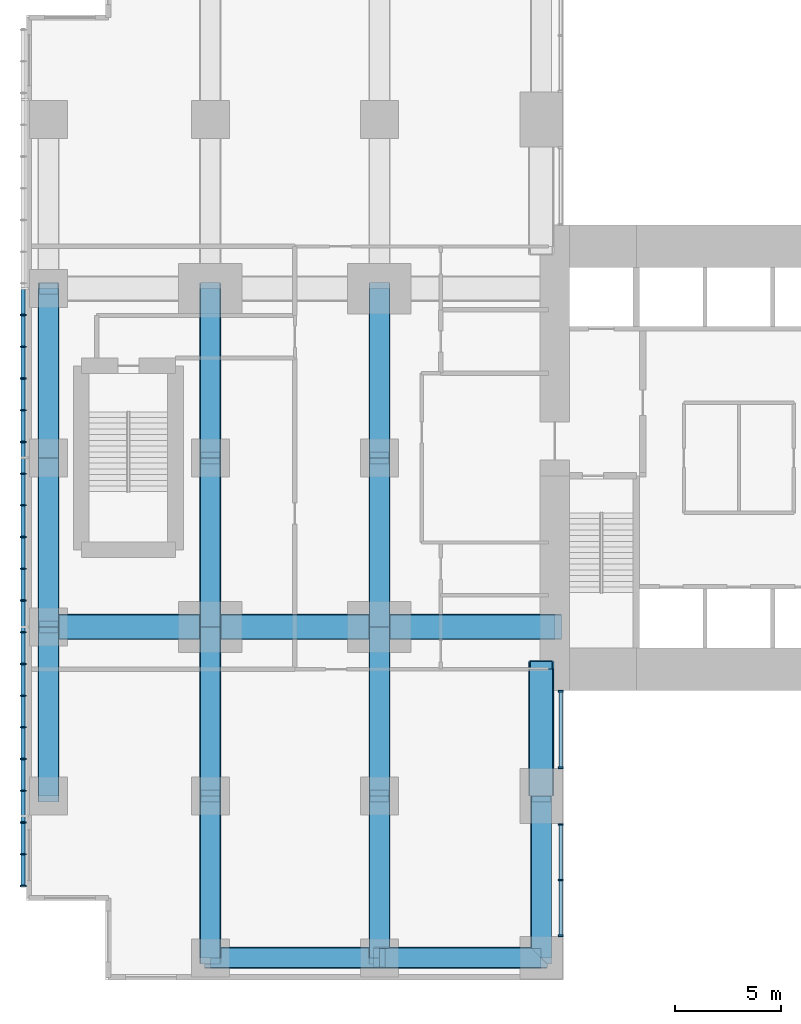
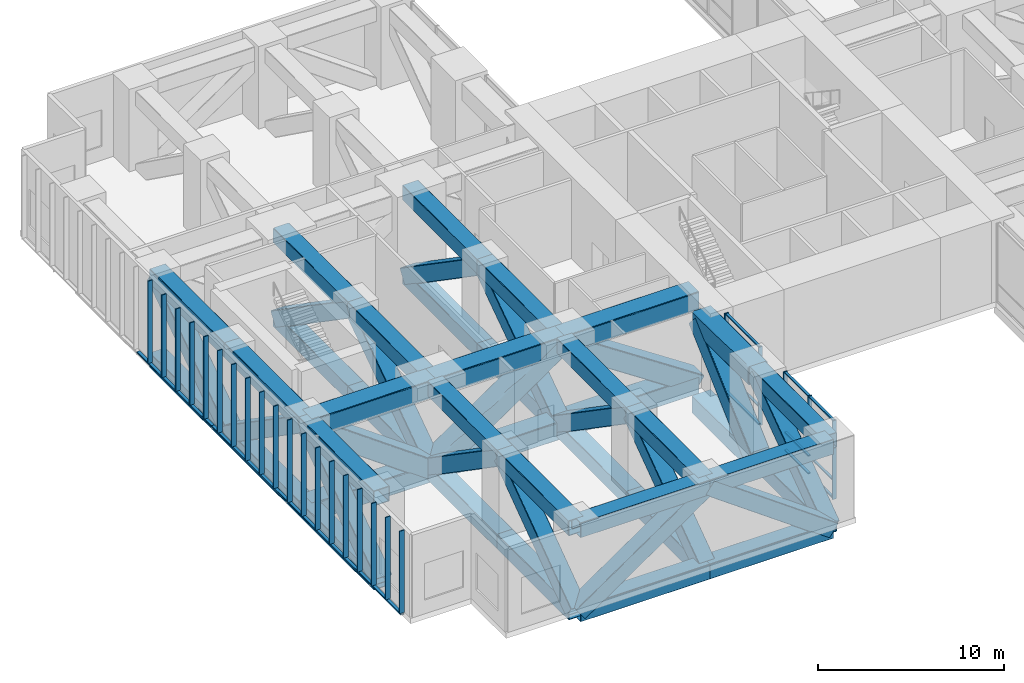
# One storey, part 2 of 15: 90 members, 2 elements without a shape of their own.
"""IFC4 building model written with IfcOpenShell, lengths in metres."""

import ifcopenshell
import ifcopenshell.guid

model = None  # the IFC model being written
_history = None  # IfcOwnerHistory: only IFC2X3 demands one
_inside = {}  # id of a spatial element -> (the spatial element, [elements in it])
_under = {}  # id of a project, library or spatial element -> (it, [spatial elements below it])
_declared = {}  # id of a project -> (the project, [libraries it declares])
_typed = {}  # id of a type object -> (the type object, [elements of that type])
_made_of = {}  # id of a material, layer set ... -> (it, [elements and type objects made of it])


def new_model(schema):
    """Start an empty IFC model of exactly this schema.

    Asked for "IFC4X3", IfcOpenShell would pick the latest addendum, in which some entities
    have other attributes; the version numbers below select the first issue.
    IFC2X3 requires an IfcOwnerHistory on every rooted entity: one is made here for all.
    """
    global model, _history
    if schema == "IFC4X3":
        model = ifcopenshell.file(schema_version=(4, 3, 0, 0))
    else:
        model = ifcopenshell.file(schema=schema)
    _inside.clear()
    _under.clear()
    _declared.clear()
    _typed.clear()
    _made_of.clear()
    _history = None
    if model.schema == "IFC2X3":
        org = make("IfcOrganization", Name="unknown")
        user = make(
            "IfcPersonAndOrganization",
            ThePerson=make("IfcPerson", FamilyName="unknown"),
            TheOrganization=org,
        )
        app = make(
            "IfcApplication",
            ApplicationDeveloper=org,
            Version="unknown",
            ApplicationFullName="unknown",
            ApplicationIdentifier="unknown",
        )
        _history = make(
            "IfcOwnerHistory",
            OwningUser=user,
            OwningApplication=app,
            ChangeAction="ADDED",
            CreationDate=0,
        )
    return model


def make(cls, **values):
    """One entity of the class cls with the attributes given. An attribute that is None is left unset."""
    return model.create_entity(
        cls, **{name: value for name, value in values.items() if value is not None}
    )


def rooted(cls, **values):
    """An entity with a GlobalId (a new one), such as an element, a storey or a relation."""
    return make(cls, GlobalId=ifcopenshell.guid.new(), OwnerHistory=_history, **values)


def si_unit(unit_type, name, prefix=None):
    """IfcSIUnit, for example si_unit("LENGTHUNIT", "METRE", prefix="MILLI")."""
    return make("IfcSIUnit", UnitType=unit_type, Prefix=prefix, Name=name)


def assignment(units):
    """IfcUnitAssignment: the units of a project."""
    return None if units is None else make("IfcUnitAssignment", Units=units)


def point(xyz):
    """IfcCartesianPoint."""
    return None if xyz is None else make("IfcCartesianPoint", Coordinates=xyz)


def direction(xyz):
    """IfcDirection."""
    return None if xyz is None else make("IfcDirection", DirectionRatios=xyz)


def frame(location, z_axis=None, x_axis=None):
    """IfcAxis2Placement3D, a coordinate frame: its origin and axes. An axis left out is left unset."""
    return make(
        "IfcAxis2Placement3D",
        Location=point(location),
        Axis=direction(z_axis),
        RefDirection=direction(x_axis),
    )


def frame_2d(location, x_axis=None):
    """IfcAxis2Placement2D, a coordinate frame in the plane: its origin and x axis."""
    return make(
        "IfcAxis2Placement2D", Location=point(location), RefDirection=direction(x_axis)
    )


def origin():
    """The frame at (0, 0, 0) with its axes left unset."""
    return frame((0.0, 0.0, 0.0))


def origin_2d():
    """The frame at (0, 0) in the plane with its x axis left unset."""
    return frame_2d((0.0, 0.0))


def place(relative_to, where):
    """IfcLocalPlacement: puts the frame where relative to a parent placement (None: the world)."""
    return make(
        "IfcLocalPlacement", PlacementRelTo=relative_to, RelativePlacement=where
    )


def context(
    kind, dimensions, precision=None, world=None, true_north=None, identifier=None
):
    """IfcGeometricRepresentationContext, for example the 3D "Model" context."""
    return make(
        "IfcGeometricRepresentationContext",
        ContextIdentifier=identifier,
        ContextType=kind,
        CoordinateSpaceDimension=dimensions,
        Precision=precision,
        WorldCoordinateSystem=world,
        TrueNorth=true_north,
    )


def subcontext(parent, identifier, kind, view, scale=None):
    """IfcGeometricRepresentationSubContext, for example "Body" below "Model"."""
    return make(
        "IfcGeometricRepresentationSubContext",
        ContextIdentifier=identifier,
        ContextType=kind,
        ParentContext=parent,
        TargetScale=scale,
        TargetView=view,
    )


def project(units=None, contexts=None):
    """IfcProject with its units and contexts."""
    return rooted(
        "IfcProject",
        Name="project",
        RepresentationContexts=contexts,
        UnitsInContext=assignment(units),
    )


def spatial(cls, under=None, at=None, **own):
    """A site, building, storey or space (cls), placed at a placement, below another one or the project."""
    s = rooted(cls, ObjectPlacement=at, **own)
    if under is not None:
        _under.setdefault(under.id(), (under, []))[1].append(s)
    return s


def profile(cls, at=None, kind="AREA", **sizes):
    """A parametric profile (cls). Its sizes go by their IFC names, for example OverallWidth=200.0."""
    return make(cls, ProfileType=kind, Position=at, **sizes)


def rectangle(**sizes):
    """IfcRectangleProfileDef."""
    return profile("IfcRectangleProfileDef", **sizes)


def hollow_rectangle(**sizes):
    """IfcRectangleHollowProfileDef."""
    return profile("IfcRectangleHollowProfileDef", **sizes)


def extrude(swept, where, along, depth):
    """IfcExtrudedAreaSolid: the profile swept, set in the frame where, extruded along a direction by depth."""
    return make(
        "IfcExtrudedAreaSolid",
        SweptArea=swept,
        Position=where,
        ExtrudedDirection=direction(along),
        Depth=depth,
    )


def shape(context_of_items, identifier, shape_type, items):
    """IfcShapeRepresentation: the items that make up one representation, for example the "Body"."""
    return make(
        "IfcShapeRepresentation",
        ContextOfItems=context_of_items,
        RepresentationIdentifier=identifier,
        RepresentationType=shape_type,
        Items=items,
    )


def material(Name=None, Category=None):
    """IfcMaterial."""
    return make("IfcMaterial", Name=Name, Category=Category)


def layer(
    of_material, thickness, ventilated=None, Name=None, Category=None, Priority=None
):
    """IfcMaterialLayer: one layer of a wall or slab, of a material (None: an air gap)."""
    return make(
        "IfcMaterialLayer",
        Material=of_material,
        LayerThickness=thickness,
        IsVentilated=ventilated,
        Name=Name,
        Category=Category,
        Priority=Priority,
    )


def layer_set(layers, Name=None):
    """IfcMaterialLayerSet."""
    return make("IfcMaterialLayerSet", MaterialLayers=layers, LayerSetName=Name)


def material_profile(
    of_material, cross_section, Name=None, Category=None, Priority=None
):
    """IfcMaterialProfile: a cross section and its material."""
    return make(
        "IfcMaterialProfile",
        Name=Name,
        Material=of_material,
        Profile=cross_section,
        Priority=Priority,
        Category=Category,
    )


def profile_set(profiles, Name=None, composite=None):
    """IfcMaterialProfileSet."""
    return make(
        "IfcMaterialProfileSet",
        Name=Name,
        MaterialProfiles=profiles,
        CompositeProfile=composite,
    )


def made_of(thing, what):
    """Note that an element or type object is made of a material, layer set ...; save() writes the relation."""
    if what is not None:
        _made_of.setdefault(what.id(), (what, []))[1].append(thing)
    return thing


def type_object(cls, material=None, **own):
    """A type object (cls), such as IfcWallType, which elements share."""
    return made_of(rooted(cls, **own), material)


def element(
    cls,
    number,
    at=None,
    inside=None,
    cuts=None,
    type_object=None,
    material=None,
    context=None,
    identifier="Body",
    shape_type=None,
    held_by="IfcProductDefinitionShape",
    body=None,
    shapes=None,
    **own,
):
    """One element of the class cls, such as IfcWall. Its Tag is "e" and its number.

    at: its placement. inside: the storey or other place that contains it. cuts: it is an
    opening in that element (IfcRelVoidsElement). A single representation is given by context,
    identifier, shape_type and body (its items); several are given by shapes. held_by: the class
    of the entity that holds the representations. save() writes the other relations.
    """
    e = rooted(cls, Tag="e%d" % number, ObjectPlacement=at, **own)
    if body is not None:
        shapes = [shape(context, identifier, shape_type, body)]
    if shapes is not None:
        e.Representation = make(held_by, Representations=shapes)
    if inside is not None:
        _inside.setdefault(inside.id(), (inside, []))[1].append(e)
    if cuts is not None:
        rooted(
            "IfcRelVoidsElement", RelatingBuildingElement=cuts, RelatedOpeningElement=e
        )
    if type_object is not None:
        _typed.setdefault(type_object.id(), (type_object, []))[1].append(e)
    return made_of(e, material)


def aggregate(whole, parts):
    """IfcRelAggregates: a whole, such as a stair, and the parts it consists of."""
    return rooted("IfcRelAggregates", RelatingObject=whole, RelatedObjects=parts)


def save(model, path):
    """Write the relations noted so far, then the file.

    IfcRelAggregates (storeys below a building ...), IfcRelContainedInSpatialStructure (elements
    in a storey), IfcRelDefinesByType, IfcRelAssociatesMaterial and IfcRelDeclares: one each for
    every whole, place, type object, material and project.
    """
    for whole, parts in _under.values():
        aggregate(whole, parts)
    for where, things in _inside.values():
        rooted(
            "IfcRelContainedInSpatialStructure",
            RelatedElements=things,
            RelatingStructure=where,
        )
    for kind, things in _typed.values():
        rooted("IfcRelDefinesByType", RelatedObjects=things, RelatingType=kind)
    for what, things in _made_of.values():
        rooted("IfcRelAssociatesMaterial", RelatedObjects=things, RelatingMaterial=what)
    for by, libraries in _declared.values():
        rooted("IfcRelDeclares", RelatingContext=by, RelatedDefinitions=libraries)
    model.write(path)


model = new_model("IFC4")

# Units and contexts
model_context = context("Model", 3, precision=1e-05, world=origin(), true_north=direction((0.0, 1.0)))
body_context = subcontext(model_context, "Body", "Model", "MODEL_VIEW")
ifc_project = project(units=[si_unit("LENGTHUNIT", "METRE"), si_unit("AREAUNIT", "SQUARE_METRE"), si_unit("VOLUMEUNIT", "CUBIC_METRE"), si_unit("PLANEANGLEUNIT", "RADIAN"), si_unit("MASSUNIT", "GRAM", prefix="KILO")], contexts=[model_context])

# Site, building, storey
site_placement = place(None, origin())
site = spatial("IfcSite", under=ifc_project, at=site_placement, CompositionType="ELEMENT")
building_placement = place(site_placement, origin())
building = spatial("IfcBuilding", under=site, at=building_placement, Name="Cleftline Residences", CompositionType="ELEMENT")
storey_placement = place(building_placement, frame((0.0, 0.0, 171.800048828125)))
storey = spatial("IfcBuildingStorey", under=building, at=storey_placement, Name="L45", CompositionType="ELEMENT", Elevation=171.800048828125)

# Members
ifc_material_1 = material(Name="Steel S355, hot-dip galvanised", Category="steel")
ifc_material_profile_1 = material_profile(ifc_material_1, hollow_rectangle(XDim=0.10009765625, YDim=0.199951171875, WallThickness=0.008056640625, InnerFilletRadius=0.008056640625, OuterFilletRadius=0.011962890625, at=origin_2d()))
ifc_profile_set_1 = profile_set([ifc_material_profile_1], Name="Steel S355, hot-dip galvanised")
member_type_1 = type_object("IfcMemberType", Name="BAGUETTE CARRIER RHS 200X100X8", PredefinedType="USERDEFINED", material=ifc_profile_set_1)
for number, where, z_axis, x_axis, name in (
    (1, (-0.85009765625, 32.0, -0.050048828125), (0.0, -1.0, 0.0), (0.0, 0.0, 1.0), "Baguette carrier"),
    (2, (-0.85009765625, 24.0, -0.050048828125), (0.0, -1.0, 0.0), (0.0, 0.0, 1.0), "Baguette carrier"),
):
    element("IfcMember", number, at=place(storey_placement, frame(where, z_axis=z_axis, x_axis=x_axis)), inside=storey, type_object=member_type_1, Name=name, ObjectType="BAGUETTE CARRIER", PredefinedType="USERDEFINED", context=body_context, shape_type="SweptSolid", body=[
        extrude(hollow_rectangle(XDim=0.10009765625, YDim=0.199951171875, WallThickness=0.008056640625, InnerFilletRadius=0.008056640625, OuterFilletRadius=0.011962890625, at=origin_2d()), origin(), (0.0, 0.0, 1.0), 8.0),
    ])
member_1_placement = place(storey_placement, frame((-0.85009765625, 16.0, -0.050048828125), z_axis=(0.0, -1.0, 0.0), x_axis=(0.0, 0.0, 1.0)))
element("IfcMember", 3, at=member_1_placement, inside=storey, type_object=member_type_1, Name="Baguette carrier", ObjectType="BAGUETTE CARRIER", PredefinedType="USERDEFINED", context=body_context, shape_type="SweptSolid", body=[
    extrude(hollow_rectangle(XDim=0.10009765625, YDim=0.199951171875, WallThickness=0.008056640625, InnerFilletRadius=0.008056640625, OuterFilletRadius=0.011962890625, at=origin_2d()), origin(), (0.0, 0.0, 1.0), 12.300048828125),
])
ifc_material_2 = material(Name="Steel S355", Category="steel")
ifc_material_profile_2 = material_profile(ifc_material_2, hollow_rectangle(XDim=1.0, YDim=1.0, WallThickness=0.0400390625, InnerFilletRadius=0.0400390625, OuterFilletRadius=0.06005859375, at=origin_2d()))
ifc_profile_set_2 = profile_set([ifc_material_profile_2], Name="Steel S355")
member_type_2 = type_object("IfcMemberType", Name="BRACE BOX 1000X1000X40", PredefinedType="BRACE", material=ifc_profile_set_2)
for number, where, z_axis, x_axis, name in (
    (4, (0.35009765625, 8.0, -0.85009765625), (0.0, 0.824041924199, 0.566528822887), (0.0, -0.566528822887, 0.824041924199), "Belt truss diagonal"),
    (5, (0.35009765625, 16.0, 4.64990234375), (0.0, 0.824041924199, -0.566528822887), (0.0, 0.566528822887, 0.824041924199), "Belt truss diagonal"),
    (6, (0.35009765625, 24.0, -0.85009765625), (0.0, 0.824041924199, 0.566528822887), (0.0, -0.566528822887, 0.824041924199), "Belt truss diagonal"),
):
    element("IfcMember", number, at=place(storey_placement, frame(where, z_axis=z_axis, x_axis=x_axis)), inside=storey, type_object=member_type_2, Name=name, PredefinedType="BRACE", context=body_context, shape_type="SweptSolid", body=[
        extrude(hollow_rectangle(XDim=1.0, YDim=1.0, WallThickness=0.0400390625, InnerFilletRadius=0.0400390625, OuterFilletRadius=0.06005859375, at=origin_2d()), origin(), (0.0, 0.0, 1.0), 9.708251953125),
    ])
member_2_placement = place(storey_placement, frame((8.0, 0.35009765625, -0.85009765625), z_axis=(0.0, 0.811933238445, 0.583750303048), x_axis=(0.0, -0.583750303048, 0.811933238445)))
element("IfcMember", 7, at=member_2_placement, inside=storey, type_object=member_type_2, Name="Belt truss diagonal", PredefinedType="BRACE", context=body_context, shape_type="SweptSolid", body=[
    extrude(hollow_rectangle(XDim=1.0, YDim=1.0, WallThickness=0.0400390625, InnerFilletRadius=0.0400390625, OuterFilletRadius=0.06005859375, at=origin_2d()), origin(), (0.0, 0.0, 1.0), 9.421875),
])
for number, where, z_axis, x_axis, name in (
    (8, (8.0, 8.0, 4.64990234375), (0.0, 0.824041924199, -0.566528822887), (0.0, 0.566528822887, 0.824041924199), "Belt truss diagonal"),
    (9, (8.0, 16.0, -0.85009765625), (0.0, 0.824041924199, 0.566528822887), (0.0, -0.566528822887, 0.824041924199), "Belt truss diagonal"),
    (10, (8.0, 24.0, 4.64990234375), (0.0, 0.824041924199, -0.566528822887), (0.0, 0.566528822887, 0.824041924199), "Belt truss diagonal"),
):
    element("IfcMember", number, at=place(storey_placement, frame(where, z_axis=z_axis, x_axis=x_axis)), inside=storey, type_object=member_type_2, Name=name, PredefinedType="BRACE", context=body_context, shape_type="SweptSolid", body=[
        extrude(hollow_rectangle(XDim=1.0, YDim=1.0, WallThickness=0.0400390625, InnerFilletRadius=0.0400390625, OuterFilletRadius=0.06005859375, at=origin_2d()), origin(), (0.0, 0.0, 1.0), 9.708251953125),
    ])
member_3_placement = place(storey_placement, frame((16.0, 0.35009765625, -0.85009765625), z_axis=(0.0, 0.811933238445, 0.583750303048), x_axis=(0.0, -0.583750303048, 0.811933238445)))
element("IfcMember", 11, at=member_3_placement, inside=storey, type_object=member_type_2, Name="Belt truss diagonal", PredefinedType="BRACE", context=body_context, shape_type="SweptSolid", body=[
    extrude(hollow_rectangle(XDim=1.0, YDim=1.0, WallThickness=0.0400390625, InnerFilletRadius=0.0400390625, OuterFilletRadius=0.06005859375, at=origin_2d()), origin(), (0.0, 0.0, 1.0), 9.421875),
])
for number, where, z_axis, x_axis, name in (
    (12, (16.0, 8.0, 4.64990234375), (0.0, 0.824041924199, -0.566528822887), (0.0, 0.566528822887, 0.824041924199), "Belt truss diagonal"),
    (13, (16.0, 16.0, -0.85009765625), (0.0, 0.824041924199, 0.566528822887), (0.0, -0.566528822887, 0.824041924199), "Belt truss diagonal"),
    (14, (16.0, 24.0, 4.64990234375), (0.0, 0.824041924199, -0.566528822887), (0.0, 0.566528822887, 0.824041924199), "Belt truss diagonal"),
):
    element("IfcMember", number, at=place(storey_placement, frame(where, z_axis=z_axis, x_axis=x_axis)), inside=storey, type_object=member_type_2, Name=name, PredefinedType="BRACE", context=body_context, shape_type="SweptSolid", body=[
        extrude(hollow_rectangle(XDim=1.0, YDim=1.0, WallThickness=0.0400390625, InnerFilletRadius=0.0400390625, OuterFilletRadius=0.06005859375, at=origin_2d()), origin(), (0.0, 0.0, 1.0), 9.708251953125),
    ])
member_4_placement = place(storey_placement, frame((23.64990234375, 0.35009765625, -0.85009765625), z_axis=(0.0, 0.811933238445, 0.583750303048), x_axis=(0.0, -0.583750303048, 0.811933238445)))
element("IfcMember", 15, at=member_4_placement, inside=storey, type_object=member_type_2, Name="Belt truss diagonal", PredefinedType="BRACE", context=body_context, shape_type="SweptSolid", body=[
    extrude(hollow_rectangle(XDim=1.0, YDim=1.0, WallThickness=0.0400390625, InnerFilletRadius=0.0400390625, OuterFilletRadius=0.06005859375, at=origin_2d()), origin(), (0.0, 0.0, 1.0), 9.421875),
])
member_5_placement = place(storey_placement, frame((8.0, 0.35009765625, -0.85009765625), z_axis=(0.824041924199, 0.0, 0.566528822887), x_axis=(-0.566528822887, 0.0, 0.824041924199)))
element("IfcMember", 16, at=member_5_placement, inside=storey, type_object=member_type_2, Name="Belt truss diagonal", PredefinedType="BRACE", context=body_context, shape_type="SweptSolid", body=[
    extrude(hollow_rectangle(XDim=1.0, YDim=1.0, WallThickness=0.0400390625, InnerFilletRadius=0.0400390625, OuterFilletRadius=0.06005859375, at=origin_2d()), origin(), (0.0, 0.0, 1.0), 9.708251953125),
])
member_6_placement = place(storey_placement, frame((16.0, 0.35009765625, 4.64990234375), z_axis=(0.811933238445, 0.0, -0.583750303048), x_axis=(0.583750303048, 0.0, 0.811933238445)))
element("IfcMember", 17, at=member_6_placement, inside=storey, type_object=member_type_2, Name="Belt truss diagonal", PredefinedType="BRACE", context=body_context, shape_type="SweptSolid", body=[
    extrude(hollow_rectangle(XDim=1.0, YDim=1.0, WallThickness=0.0400390625, InnerFilletRadius=0.0400390625, OuterFilletRadius=0.06005859375, at=origin_2d()), origin(), (0.0, 0.0, 1.0), 9.421875),
])
ifc_material_3 = material(Name="Steel S355", Category="steel")
ifc_material_profile_3 = material_profile(ifc_material_3, hollow_rectangle(XDim=1.199951171875, YDim=1.199951171875, WallThickness=0.06005859375, InnerFilletRadius=0.06005859375, OuterFilletRadius=0.090087890625, at=origin_2d()))
ifc_profile_set_3 = profile_set([ifc_material_profile_3], Name="Steel S355")
member_type_3 = type_object("IfcMemberType", Name="BRACE BOX 1200X1200X60", PredefinedType="BRACE", material=ifc_profile_set_3)
member_7_placement = place(storey_placement, frame((24.300048828125, 16.0, -0.949951171875), z_axis=(-0.833593682581, 0.0, 0.552378106338), x_axis=(0.552378106338, 0.0, 0.833593682581)))
element("IfcMember", 18, at=member_7_placement, inside=storey, type_object=member_type_3, Name="Outrigger truss diagonal", PredefinedType="BRACE", context=body_context, shape_type="SweptSolid", body=[
    extrude(hollow_rectangle(XDim=1.199951171875, YDim=1.199951171875, WallThickness=0.06005859375, InnerFilletRadius=0.06005859375, OuterFilletRadius=0.090087890625, at=origin_2d()), origin(), (0.0, 0.0, 1.0), 9.95703125),
])
member_8_placement = place(storey_placement, frame((16.0, 16.0, 4.550048828125), z_axis=(-0.824041924199, 0.0, -0.566528822887), x_axis=(-0.566528822887, 0.0, 0.824041924199)))
element("IfcMember", 19, at=member_8_placement, inside=storey, type_object=member_type_3, Name="Outrigger truss diagonal", PredefinedType="BRACE", context=body_context, shape_type="SweptSolid", body=[
    extrude(hollow_rectangle(XDim=1.199951171875, YDim=1.199951171875, WallThickness=0.06005859375, InnerFilletRadius=0.06005859375, OuterFilletRadius=0.090087890625, at=origin_2d()), origin(), (0.0, 0.0, 1.0), 9.708251953125),
])
member_9_placement = place(storey_placement, frame((8.0, 16.0, -0.949951171875), z_axis=(-0.811933238445, 0.0, 0.583750303048), x_axis=(0.583750303048, 0.0, 0.811933238445)))
element("IfcMember", 20, at=member_9_placement, inside=storey, type_object=member_type_3, Name="Outrigger truss diagonal", PredefinedType="BRACE", context=body_context, shape_type="SweptSolid", body=[
    extrude(hollow_rectangle(XDim=1.199951171875, YDim=1.199951171875, WallThickness=0.06005859375, InnerFilletRadius=0.06005859375, OuterFilletRadius=0.090087890625, at=origin_2d()), origin(), (0.0, 0.0, 1.0), 9.421875),
])
member_10_placement = place(storey_placement, frame((23.64990234375, 8.0, -0.949951171875), z_axis=(0.0, 0.737154140201, 0.675724628517), x_axis=(0.0, -0.675724628517, 0.737154140201)))
element("IfcMember", 21, at=member_10_placement, inside=storey, type_object=member_type_3, Name="Outrigger truss diagonal", PredefinedType="BRACE", context=body_context, shape_type="SweptSolid", body=[
    extrude(hollow_rectangle(XDim=1.199951171875, YDim=1.199951171875, WallThickness=0.06005859375, InnerFilletRadius=0.06005859375, OuterFilletRadius=0.090087890625, at=origin_2d()), origin(), (0.0, 0.0, 1.0), 8.139404296875),
])
ifc_material_4 = material(Name="Steel S355", Category="steel")
ifc_material_profile_4 = material_profile(ifc_material_4, hollow_rectangle(XDim=1.0, YDim=1.0, WallThickness=0.0400390625, InnerFilletRadius=0.0400390625, OuterFilletRadius=0.06005859375, at=origin_2d()))
ifc_profile_set_4 = profile_set([ifc_material_profile_4], Name="Steel S355")
member_type_4 = type_object("IfcMemberType", Name="CHORD BOX 1000X1000X40", PredefinedType="CHORD", material=ifc_profile_set_4)
for number, where, z_axis, x_axis, name in (
    (22, (0.35009765625, 8.0, -0.85009765625), (0.0, 1.0, 0.0), (-1.0, 0.0, 0.0), "Belt truss bottom chord"),
    (23, (0.35009765625, 8.0, 4.64990234375), (0.0, 1.0, 0.0), (-1.0, 0.0, 0.0), "Belt truss top chord"),
    (24, (0.35009765625, 16.0, -0.85009765625), (0.0, 1.0, 0.0), (-1.0, 0.0, 0.0), "Belt truss bottom chord"),
    (25, (0.35009765625, 16.0, 4.64990234375), (0.0, 1.0, 0.0), (-1.0, 0.0, 0.0), "Belt truss top chord"),
    (26, (0.35009765625, 24.0, -0.85009765625), (0.0, 1.0, 0.0), (-1.0, 0.0, 0.0), "Belt truss bottom chord"),
    (27, (0.35009765625, 24.0, 4.64990234375), (0.0, 1.0, 0.0), (-1.0, 0.0, 0.0), "Belt truss top chord"),
):
    element("IfcMember", number, at=place(storey_placement, frame(where, z_axis=z_axis, x_axis=x_axis)), inside=storey, type_object=member_type_4, Name=name, PredefinedType="CHORD", context=body_context, shape_type="SweptSolid", body=[
        extrude(hollow_rectangle(XDim=1.0, YDim=1.0, WallThickness=0.0400390625, InnerFilletRadius=0.0400390625, OuterFilletRadius=0.06005859375, at=origin_2d()), origin(), (0.0, 0.0, 1.0), 8.0),
    ])
for number, where, z_axis, x_axis, name in (
    (28, (8.0, 0.35009765625, -0.85009765625), (0.0, 1.0, 0.0), (-1.0, 0.0, 0.0), "Belt truss bottom chord"),
    (29, (8.0, 0.35009765625, 4.64990234375), (0.0, 1.0, 0.0), (-1.0, 0.0, 0.0), "Belt truss top chord"),
):
    element("IfcMember", number, at=place(storey_placement, frame(where, z_axis=z_axis, x_axis=x_axis)), inside=storey, type_object=member_type_4, Name=name, PredefinedType="CHORD", context=body_context, shape_type="SweptSolid", body=[
        extrude(hollow_rectangle(XDim=1.0, YDim=1.0, WallThickness=0.0400390625, InnerFilletRadius=0.0400390625, OuterFilletRadius=0.06005859375, at=origin_2d()), origin(), (0.0, 0.0, 1.0), 7.64990234375),
    ])
for number, where, z_axis, x_axis, name in (
    (30, (8.0, 8.0, -0.85009765625), (0.0, 1.0, 0.0), (-1.0, 0.0, 0.0), "Belt truss bottom chord"),
    (31, (8.0, 8.0, 4.64990234375), (0.0, 1.0, 0.0), (-1.0, 0.0, 0.0), "Belt truss top chord"),
    (32, (8.0, 16.0, -0.85009765625), (0.0, 1.0, 0.0), (-1.0, 0.0, 0.0), "Belt truss bottom chord"),
    (33, (8.0, 16.0, 4.64990234375), (0.0, 1.0, 0.0), (-1.0, 0.0, 0.0), "Belt truss top chord"),
    (34, (8.0, 24.0, -0.85009765625), (0.0, 1.0, 0.0), (-1.0, 0.0, 0.0), "Belt truss bottom chord"),
    (35, (8.0, 24.0, 4.64990234375), (0.0, 1.0, 0.0), (-1.0, 0.0, 0.0), "Belt truss top chord"),
):
    element("IfcMember", number, at=place(storey_placement, frame(where, z_axis=z_axis, x_axis=x_axis)), inside=storey, type_object=member_type_4, Name=name, PredefinedType="CHORD", context=body_context, shape_type="SweptSolid", body=[
        extrude(hollow_rectangle(XDim=1.0, YDim=1.0, WallThickness=0.0400390625, InnerFilletRadius=0.0400390625, OuterFilletRadius=0.06005859375, at=origin_2d()), origin(), (0.0, 0.0, 1.0), 8.0),
    ])
for number, where, z_axis, x_axis, name in (
    (36, (16.0, 0.35009765625, -0.85009765625), (0.0, 1.0, 0.0), (-1.0, 0.0, 0.0), "Belt truss bottom chord"),
    (37, (16.0, 0.35009765625, 4.64990234375), (0.0, 1.0, 0.0), (-1.0, 0.0, 0.0), "Belt truss top chord"),
):
    element("IfcMember", number, at=place(storey_placement, frame(where, z_axis=z_axis, x_axis=x_axis)), inside=storey, type_object=member_type_4, Name=name, PredefinedType="CHORD", context=body_context, shape_type="SweptSolid", body=[
        extrude(hollow_rectangle(XDim=1.0, YDim=1.0, WallThickness=0.0400390625, InnerFilletRadius=0.0400390625, OuterFilletRadius=0.06005859375, at=origin_2d()), origin(), (0.0, 0.0, 1.0), 7.64990234375),
    ])
for number, where, z_axis, x_axis, name in (
    (38, (16.0, 8.0, -0.85009765625), (0.0, 1.0, 0.0), (-1.0, 0.0, 0.0), "Belt truss bottom chord"),
    (39, (16.0, 8.0, 4.64990234375), (0.0, 1.0, 0.0), (-1.0, 0.0, 0.0), "Belt truss top chord"),
    (40, (16.0, 16.0, -0.85009765625), (0.0, 1.0, 0.0), (-1.0, 0.0, 0.0), "Belt truss bottom chord"),
    (41, (16.0, 16.0, 4.64990234375), (0.0, 1.0, 0.0), (-1.0, 0.0, 0.0), "Belt truss top chord"),
    (42, (16.0, 24.0, -0.85009765625), (0.0, 1.0, 0.0), (-1.0, 0.0, 0.0), "Belt truss bottom chord"),
    (43, (16.0, 24.0, 4.64990234375), (0.0, 1.0, 0.0), (-1.0, 0.0, 0.0), "Belt truss top chord"),
):
    element("IfcMember", number, at=place(storey_placement, frame(where, z_axis=z_axis, x_axis=x_axis)), inside=storey, type_object=member_type_4, Name=name, PredefinedType="CHORD", context=body_context, shape_type="SweptSolid", body=[
        extrude(hollow_rectangle(XDim=1.0, YDim=1.0, WallThickness=0.0400390625, InnerFilletRadius=0.0400390625, OuterFilletRadius=0.06005859375, at=origin_2d()), origin(), (0.0, 0.0, 1.0), 8.0),
    ])
for number, where, z_axis, x_axis, name in (
    (44, (23.64990234375, 0.35009765625, -0.85009765625), (0.0, 1.0, 0.0), (-1.0, 0.0, 0.0), "Belt truss bottom chord"),
    (45, (23.64990234375, 0.35009765625, 4.64990234375), (0.0, 1.0, 0.0), (-1.0, 0.0, 0.0), "Belt truss top chord"),
):
    element("IfcMember", number, at=place(storey_placement, frame(where, z_axis=z_axis, x_axis=x_axis)), inside=storey, type_object=member_type_4, Name=name, PredefinedType="CHORD", context=body_context, shape_type="SweptSolid", body=[
        extrude(hollow_rectangle(XDim=1.0, YDim=1.0, WallThickness=0.0400390625, InnerFilletRadius=0.0400390625, OuterFilletRadius=0.06005859375, at=origin_2d()), origin(), (0.0, 0.0, 1.0), 7.64990234375),
    ])
for number, where, z_axis, x_axis, name in (
    (46, (8.0, 0.35009765625, -0.85009765625), (1.0, 0.0, 0.0), (0.0, 1.0, 0.0), "Belt truss bottom chord"),
    (47, (8.0, 0.35009765625, 4.64990234375), (1.0, 0.0, 0.0), (0.0, 1.0, 0.0), "Belt truss top chord"),
):
    element("IfcMember", number, at=place(storey_placement, frame(where, z_axis=z_axis, x_axis=x_axis)), inside=storey, type_object=member_type_4, Name=name, PredefinedType="CHORD", context=body_context, shape_type="SweptSolid", body=[
        extrude(hollow_rectangle(XDim=1.0, YDim=1.0, WallThickness=0.0400390625, InnerFilletRadius=0.0400390625, OuterFilletRadius=0.06005859375, at=origin_2d()), origin(), (0.0, 0.0, 1.0), 8.0),
    ])
for number, where, z_axis, x_axis, name in (
    (48, (16.0, 0.35009765625, -0.85009765625), (1.0, 0.0, 0.0), (0.0, 1.0, 0.0), "Belt truss bottom chord"),
    (49, (16.0, 0.35009765625, 4.64990234375), (1.0, 0.0, 0.0), (0.0, 1.0, 0.0), "Belt truss top chord"),
):
    element("IfcMember", number, at=place(storey_placement, frame(where, z_axis=z_axis, x_axis=x_axis)), inside=storey, type_object=member_type_4, Name=name, PredefinedType="CHORD", context=body_context, shape_type="SweptSolid", body=[
        extrude(hollow_rectangle(XDim=1.0, YDim=1.0, WallThickness=0.0400390625, InnerFilletRadius=0.0400390625, OuterFilletRadius=0.06005859375, at=origin_2d()), origin(), (0.0, 0.0, 1.0), 7.64990234375),
    ])
ifc_material_5 = material(Name="Steel S355", Category="steel")
ifc_material_profile_5 = material_profile(ifc_material_5, hollow_rectangle(XDim=1.199951171875, YDim=1.199951171875, WallThickness=0.06005859375, InnerFilletRadius=0.06005859375, OuterFilletRadius=0.090087890625, at=origin_2d()))
ifc_profile_set_5 = profile_set([ifc_material_profile_5], Name="Steel S355")
member_type_5 = type_object("IfcMemberType", Name="CHORD BOX 1200X1200X60", PredefinedType="CHORD", material=ifc_profile_set_5)
for number, where, z_axis, x_axis, name in (
    (50, (24.300048828125, 16.0, -0.949951171875), (-1.0, 0.0, 0.0), (0.0, -1.0, 0.0), "Outrigger truss bottom chord"),
    (51, (24.300048828125, 16.0, 4.550048828125), (-1.0, 0.0, 0.0), (0.0, -1.0, 0.0), "Outrigger truss top chord"),
):
    element("IfcMember", number, at=place(storey_placement, frame(where, z_axis=z_axis, x_axis=x_axis)), inside=storey, type_object=member_type_5, Name=name, PredefinedType="CHORD", context=body_context, shape_type="SweptSolid", body=[
        extrude(hollow_rectangle(XDim=1.199951171875, YDim=1.199951171875, WallThickness=0.06005859375, InnerFilletRadius=0.06005859375, OuterFilletRadius=0.090087890625, at=origin_2d()), origin(), (0.0, 0.0, 1.0), 8.300048828125),
    ])
for number, where, z_axis, x_axis, name in (
    (52, (16.0, 16.0, -0.949951171875), (-1.0, 0.0, 0.0), (0.0, -1.0, 0.0), "Outrigger truss bottom chord"),
    (53, (16.0, 16.0, 4.550048828125), (-1.0, 0.0, 0.0), (0.0, -1.0, 0.0), "Outrigger truss top chord"),
):
    element("IfcMember", number, at=place(storey_placement, frame(where, z_axis=z_axis, x_axis=x_axis)), inside=storey, type_object=member_type_5, Name=name, PredefinedType="CHORD", context=body_context, shape_type="SweptSolid", body=[
        extrude(hollow_rectangle(XDim=1.199951171875, YDim=1.199951171875, WallThickness=0.06005859375, InnerFilletRadius=0.06005859375, OuterFilletRadius=0.090087890625, at=origin_2d()), origin(), (0.0, 0.0, 1.0), 8.0),
    ])
for number, where, z_axis, x_axis, name in (
    (54, (8.0, 16.0, -0.949951171875), (-1.0, 0.0, 0.0), (0.0, -1.0, 0.0), "Outrigger truss bottom chord"),
    (55, (8.0, 16.0, 4.550048828125), (-1.0, 0.0, 0.0), (0.0, -1.0, 0.0), "Outrigger truss top chord"),
):
    element("IfcMember", number, at=place(storey_placement, frame(where, z_axis=z_axis, x_axis=x_axis)), inside=storey, type_object=member_type_5, Name=name, PredefinedType="CHORD", context=body_context, shape_type="SweptSolid", body=[
        extrude(hollow_rectangle(XDim=1.199951171875, YDim=1.199951171875, WallThickness=0.06005859375, InnerFilletRadius=0.06005859375, OuterFilletRadius=0.090087890625, at=origin_2d()), origin(), (0.0, 0.0, 1.0), 7.64990234375),
    ])
for number, where, z_axis, x_axis, name in (
    (56, (23.64990234375, 8.0, -0.949951171875), (0.0, 1.0, 0.0), (-1.0, 0.0, 0.0), "Outrigger truss bottom chord"),
    (57, (23.64990234375, 8.0, 4.550048828125), (0.0, 1.0, 0.0), (-1.0, 0.0, 0.0), "Outrigger truss top chord"),
):
    element("IfcMember", number, at=place(storey_placement, frame(where, z_axis=z_axis, x_axis=x_axis)), inside=storey, type_object=member_type_5, Name=name, PredefinedType="CHORD", context=body_context, shape_type="SweptSolid", body=[
        extrude(hollow_rectangle(XDim=1.199951171875, YDim=1.199951171875, WallThickness=0.06005859375, InnerFilletRadius=0.06005859375, OuterFilletRadius=0.090087890625, at=origin_2d()), origin(), (0.0, 0.0, 1.0), 6.0),
    ])

# Curtain wall, members
ifc_material_6 = material(Name="Aluminium framed louvre screen", Category="aluminium")
ifc_layer = layer(ifc_material_6, 0.25)
ifc_layer_set = layer_set([ifc_layer], Name="CW6 REFUGE LOUVRE SCREEN")
curtain_wall_type = type_object("IfcCurtainWallType", Name="CW6 REFUGE LOUVRE SCREEN", PredefinedType="NOTDEFINED", material=ifc_layer_set)
curtain_wall_1_placement = place(storey_placement, origin())
curtain_wall_1 = element("IfcCurtainWall", 58, at=curtain_wall_1_placement, inside=storey, type_object=curtain_wall_type, Name="Louvre screen CW6", PredefinedType="NOTDEFINED")
ifc_material_7 = material(Name="Aluminium louvre mullion", Category="aluminium")
ifc_material_profile_6 = material_profile(ifc_material_7, rectangle(XDim=0.25, YDim=0.080078125, at=origin_2d()))
ifc_profile_set_6 = profile_set([ifc_material_profile_6], Name="Aluminium louvre mullion")
member_type_6 = type_object("IfcMemberType", Name="CW6 LOUVRE MULLION", PredefinedType="MULLION", material=ifc_profile_set_6)
member_11_placement = place(storey_placement, frame((24.574951171875, 1.389892578125, 0.0), z_axis=(0.0, 0.0, 1.0), x_axis=(-1.0, 0.0, 0.0)))
member_11 = element("IfcMember", 59, at=member_11_placement, type_object=member_type_6, Name="CW6 mullion 1", PredefinedType="MULLION", context=body_context, shape_type="SweptSolid", body=[
    extrude(rectangle(XDim=0.25, YDim=0.080078125, at=origin_2d()), origin(), (0.0, 0.0, 1.0), 5.14990234375),
])
member_12_placement = place(storey_placement, frame((24.574951171875, 4.02490234375, 0.0), z_axis=(0.0, 0.0, 1.0), x_axis=(-1.0, 0.0, 0.0)))
member_12 = element("IfcMember", 60, at=member_12_placement, type_object=member_type_6, Name="CW6 mullion 2", PredefinedType="MULLION", context=body_context, shape_type="SweptSolid", body=[
    extrude(rectangle(XDim=0.25, YDim=0.080078125, at=origin_2d()), origin(), (0.0, 0.0, 1.0), 5.14990234375),
])
member_13_placement = place(storey_placement, frame((24.574951171875, 6.659912109375, 0.0), z_axis=(0.0, 0.0, 1.0), x_axis=(-1.0, 0.0, 0.0)))
member_13 = element("IfcMember", 61, at=member_13_placement, type_object=member_type_6, Name="CW6 mullion 3", PredefinedType="MULLION", context=body_context, shape_type="SweptSolid", body=[
    extrude(rectangle(XDim=0.25, YDim=0.080078125, at=origin_2d()), origin(), (0.0, 0.0, 1.0), 5.14990234375),
])

curtain_wall_2_placement = place(storey_placement, origin())
curtain_wall_2 = element("IfcCurtainWall", 62, at=curtain_wall_2_placement, inside=storey, type_object=curtain_wall_type, Name="Louvre screen CW6", PredefinedType="NOTDEFINED")
member_14_placement = place(storey_placement, frame((24.574951171875, 9.340087890625, 0.0), z_axis=(0.0, 0.0, 1.0), x_axis=(-1.0, 0.0, 0.0)))
member_14 = element("IfcMember", 63, at=member_14_placement, type_object=member_type_6, Name="CW6 mullion 1", PredefinedType="MULLION", context=body_context, shape_type="SweptSolid", body=[
    extrude(rectangle(XDim=0.25, YDim=0.080078125, at=origin_2d()), origin(), (0.0, 0.0, 1.0), 5.14990234375),
])
member_15_placement = place(storey_placement, frame((24.574951171875, 12.9599609375, 0.0), z_axis=(0.0, 0.0, 1.0), x_axis=(-1.0, 0.0, 0.0)))
member_15 = element("IfcMember", 64, at=member_15_placement, type_object=member_type_6, Name="CW6 mullion 2", PredefinedType="MULLION", context=body_context, shape_type="SweptSolid", body=[
    extrude(rectangle(XDim=0.25, YDim=0.080078125, at=origin_2d()), origin(), (0.0, 0.0, 1.0), 5.14990234375),
])

# Member
ifc_material_8 = material(Name="Aluminium louvre transom", Category="aluminium")
ifc_material_profile_7 = material_profile(ifc_material_8, rectangle(XDim=0.14990234375, YDim=0.080078125, at=origin_2d()))
ifc_profile_set_7 = profile_set([ifc_material_profile_7], Name="Aluminium louvre transom")
member_type_7 = type_object("IfcMemberType", Name="CW6 LOUVRE TRANSOM", PredefinedType="USERDEFINED", material=ifc_profile_set_7)
member_16_placement = place(storey_placement, frame((24.574951171875, 1.429931640625, 0.0400390625), z_axis=(0.0, 1.0, 0.0), x_axis=(-1.0, 0.0, 0.0)))
member_16 = element("IfcMember", 65, at=member_16_placement, type_object=member_type_7, Name="CW6 transom 1.1", ObjectType="TRANSOM", PredefinedType="USERDEFINED", context=body_context, shape_type="SweptSolid", body=[
    extrude(rectangle(XDim=0.14990234375, YDim=0.080078125, at=origin_2d()), origin(), (0.0, 0.0, 1.0), 2.55517578125),
])

member_17_placement = place(storey_placement, frame((24.574951171875, 1.429931640625, 1.199951171875), z_axis=(0.0, 1.0, 0.0), x_axis=(-1.0, 0.0, 0.0)))
member_17 = element("IfcMember", 66, at=member_17_placement, type_object=member_type_7, Name="CW6 transom 1.2", ObjectType="TRANSOM", PredefinedType="USERDEFINED", context=body_context, shape_type="SweptSolid", body=[
    extrude(rectangle(XDim=0.14990234375, YDim=0.080078125, at=origin_2d()), origin(), (0.0, 0.0, 1.0), 2.55517578125),
])

member_18_placement = place(storey_placement, frame((24.574951171875, 1.429931640625, 5.10986328125), z_axis=(0.0, 1.0, 0.0), x_axis=(-1.0, 0.0, 0.0)))
member_18 = element("IfcMember", 67, at=member_18_placement, type_object=member_type_7, Name="CW6 transom 1.3", ObjectType="TRANSOM", PredefinedType="USERDEFINED", context=body_context, shape_type="SweptSolid", body=[
    extrude(rectangle(XDim=0.14990234375, YDim=0.080078125, at=origin_2d()), origin(), (0.0, 0.0, 1.0), 2.55517578125),
])

member_19_placement = place(storey_placement, frame((24.574951171875, 4.06494140625, 0.0400390625), z_axis=(0.0, 1.0, 0.0), x_axis=(-1.0, 0.0, 0.0)))
member_19 = element("IfcMember", 68, at=member_19_placement, type_object=member_type_7, Name="CW6 transom 2.1", ObjectType="TRANSOM", PredefinedType="USERDEFINED", context=body_context, shape_type="SweptSolid", body=[
    extrude(rectangle(XDim=0.14990234375, YDim=0.080078125, at=origin_2d()), origin(), (0.0, 0.0, 1.0), 2.55517578125),
])

member_20_placement = place(storey_placement, frame((24.574951171875, 4.06494140625, 1.199951171875), z_axis=(0.0, 1.0, 0.0), x_axis=(-1.0, 0.0, 0.0)))
member_20 = element("IfcMember", 69, at=member_20_placement, type_object=member_type_7, Name="CW6 transom 2.2", ObjectType="TRANSOM", PredefinedType="USERDEFINED", context=body_context, shape_type="SweptSolid", body=[
    extrude(rectangle(XDim=0.14990234375, YDim=0.080078125, at=origin_2d()), origin(), (0.0, 0.0, 1.0), 2.55517578125),
])

member_21_placement = place(storey_placement, frame((24.574951171875, 4.06494140625, 5.10986328125), z_axis=(0.0, 1.0, 0.0), x_axis=(-1.0, 0.0, 0.0)))
member_21 = element("IfcMember", 70, at=member_21_placement, type_object=member_type_7, Name="CW6 transom 2.3", ObjectType="TRANSOM", PredefinedType="USERDEFINED", context=body_context, shape_type="SweptSolid", body=[
    extrude(rectangle(XDim=0.14990234375, YDim=0.080078125, at=origin_2d()), origin(), (0.0, 0.0, 1.0), 2.55517578125),
])

aggregate(curtain_wall_1, [member_11, member_12, member_13, member_16, member_17, member_18, member_19, member_20, member_21])

member_22_placement = place(storey_placement, frame((24.574951171875, 9.3798828125, 0.0400390625), z_axis=(0.0, 1.0, 0.0), x_axis=(-1.0, 0.0, 0.0)))
member_22 = element("IfcMember", 71, at=member_22_placement, type_object=member_type_7, Name="CW6 transom 1.1", ObjectType="TRANSOM", PredefinedType="USERDEFINED", context=body_context, shape_type="SweptSolid", body=[
    extrude(rectangle(XDim=0.14990234375, YDim=0.080078125, at=origin_2d()), origin(), (0.0, 0.0, 1.0), 3.5400390625),
])

member_23_placement = place(storey_placement, frame((24.574951171875, 9.3798828125, 1.199951171875), z_axis=(0.0, 1.0, 0.0), x_axis=(-1.0, 0.0, 0.0)))
member_23 = element("IfcMember", 72, at=member_23_placement, type_object=member_type_7, Name="CW6 transom 1.2", ObjectType="TRANSOM", PredefinedType="USERDEFINED", context=body_context, shape_type="SweptSolid", body=[
    extrude(rectangle(XDim=0.14990234375, YDim=0.080078125, at=origin_2d()), origin(), (0.0, 0.0, 1.0), 3.5400390625),
])

member_24_placement = place(storey_placement, frame((24.574951171875, 9.3798828125, 5.10986328125), z_axis=(0.0, 1.0, 0.0), x_axis=(-1.0, 0.0, 0.0)))
member_24 = element("IfcMember", 73, at=member_24_placement, type_object=member_type_7, Name="CW6 transom 1.3", ObjectType="TRANSOM", PredefinedType="USERDEFINED", context=body_context, shape_type="SweptSolid", body=[
    extrude(rectangle(XDim=0.14990234375, YDim=0.080078125, at=origin_2d()), origin(), (0.0, 0.0, 1.0), 3.5400390625),
])

aggregate(curtain_wall_2, [member_14, member_15, member_22, member_23, member_24])

# Members
ifc_material_9 = material(Name="Extruded terracotta", Category="masonry")
ifc_material_profile_8 = material_profile(ifc_material_9, rectangle(XDim=0.06005859375, YDim=0.300048828125, at=origin_2d()))
ifc_profile_set_8 = profile_set([ifc_material_profile_8], Name="Extruded terracotta")
member_type_8 = type_object("IfcMemberType", Name="TERRACOTTA BAGUETTE 60X300", PredefinedType="USERDEFINED", material=ifc_profile_set_8)
for number, where, z_axis, x_axis, name in (
    (74, (-0.85009765625, 30.75, 0.0), (0.0, 0.0, 1.0), (0.0, 1.0, 0.0), "Terracotta baguette"),
    (75, (-0.85009765625, 29.25, 0.0), (0.0, 0.0, 1.0), (0.0, 1.0, 0.0), "Terracotta baguette"),
    (76, (-0.85009765625, 27.75, 0.0), (0.0, 0.0, 1.0), (0.0, 1.0, 0.0), "Terracotta baguette"),
    (77, (-0.85009765625, 26.25, 0.0), (0.0, 0.0, 1.0), (0.0, 1.0, 0.0), "Terracotta baguette"),
    (78, (-0.85009765625, 24.75, 0.0), (0.0, 0.0, 1.0), (0.0, 1.0, 0.0), "Terracotta baguette"),
    (79, (-0.85009765625, 23.25, 0.0), (0.0, 0.0, 1.0), (0.0, 1.0, 0.0), "Terracotta baguette"),
    (80, (-0.85009765625, 21.75, 0.0), (0.0, 0.0, 1.0), (0.0, 1.0, 0.0), "Terracotta baguette"),
    (81, (-0.85009765625, 20.25, 0.0), (0.0, 0.0, 1.0), (0.0, 1.0, 0.0), "Terracotta baguette"),
    (82, (-0.85009765625, 18.75, 0.0), (0.0, 0.0, 1.0), (0.0, 1.0, 0.0), "Terracotta baguette"),
    (83, (-0.85009765625, 17.25, 0.0), (0.0, 0.0, 1.0), (0.0, 1.0, 0.0), "Terracotta baguette"),
    (84, (-0.85009765625, 15.75, 0.0), (0.0, 0.0, 1.0), (0.0, 1.0, 0.0), "Terracotta baguette"),
    (85, (-0.85009765625, 14.25, 0.0), (0.0, 0.0, 1.0), (0.0, 1.0, 0.0), "Terracotta baguette"),
    (86, (-0.85009765625, 12.75, 0.0), (0.0, 0.0, 1.0), (0.0, 1.0, 0.0), "Terracotta baguette"),
    (87, (-0.85009765625, 11.25, 0.0), (0.0, 0.0, 1.0), (0.0, 1.0, 0.0), "Terracotta baguette"),
    (88, (-0.85009765625, 9.75, 0.0), (0.0, 0.0, 1.0), (0.0, 1.0, 0.0), "Terracotta baguette"),
    (89, (-0.85009765625, 8.25, 0.0), (0.0, 0.0, 1.0), (0.0, 1.0, 0.0), "Terracotta baguette"),
    (90, (-0.85009765625, 6.75, 0.0), (0.0, 0.0, 1.0), (0.0, 1.0, 0.0), "Terracotta baguette"),
    (91, (-0.85009765625, 5.25, 0.0), (0.0, 0.0, 1.0), (0.0, 1.0, 0.0), "Terracotta baguette"),
    (92, (-0.85009765625, 3.75, 0.0), (0.0, 0.0, 1.0), (0.0, 1.0, 0.0), "Terracotta baguette"),
):
    element("IfcMember", number, at=place(storey_placement, frame(where, z_axis=z_axis, x_axis=x_axis)), inside=storey, type_object=member_type_8, Name=name, ObjectType="BAGUETTE", PredefinedType="USERDEFINED", context=body_context, shape_type="SweptSolid", body=[
        extrude(rectangle(XDim=0.06005859375, YDim=0.300048828125, at=origin_2d()), origin(), (0.0, 0.0, 1.0), 5.39990234375),
    ])

save(model, "model.ifc")
